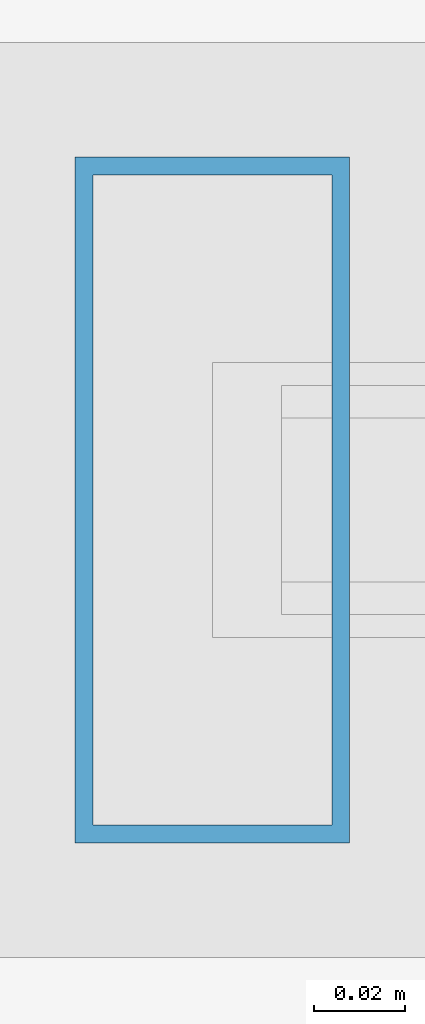
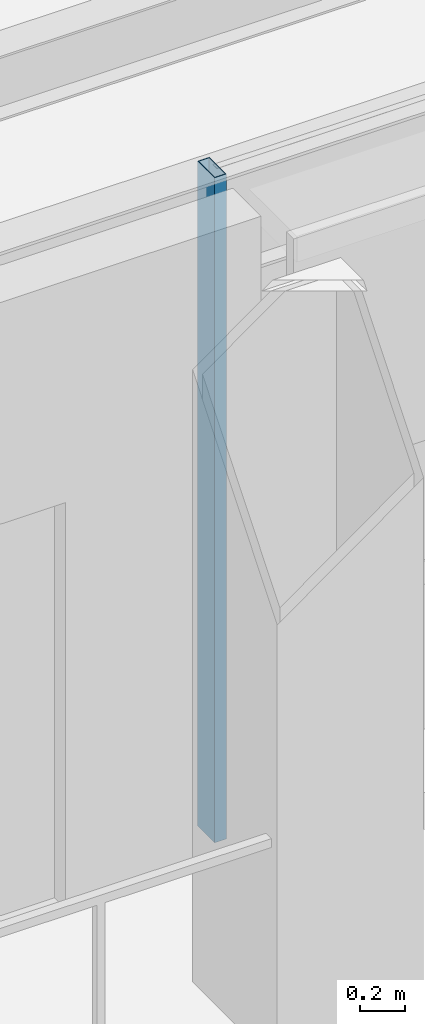
# One storey, part 5 of 27: 1 member, 1 element without a shape of its own.
"""IFC4 building model written with IfcOpenShell, lengths in metres."""

from ifc_helpers import new_model, si_unit, direction, frame, origin, origin_2d, place, context, subcontext, project, spatial, hollow_rectangle, extrude, material, layer, layer_set, material_profile, profile_set, type_object, element, aggregate, save


model = new_model("IFC4")

# Units and contexts
model_context = context("Model", 3, precision=1e-05, world=origin(), true_north=direction((0.0, 1.0)))
body_context = subcontext(model_context, "Body", "Model", "MODEL_VIEW")
ifc_project = project(units=[si_unit("LENGTHUNIT", "METRE"), si_unit("AREAUNIT", "SQUARE_METRE"), si_unit("VOLUMEUNIT", "CUBIC_METRE"), si_unit("PLANEANGLEUNIT", "RADIAN"), si_unit("MASSUNIT", "GRAM", prefix="KILO")], contexts=[model_context])

# Site, building, storey
site_placement = place(None, origin())
site = spatial("IfcSite", under=ifc_project, at=site_placement, CompositionType="ELEMENT")
building_placement = place(site_placement, origin())
building = spatial("IfcBuilding", under=site, at=building_placement, Name="Brelmoor Portico Tower", CompositionType="ELEMENT")
storey_placement = place(building_placement, frame((0.0, 0.0, 250.800048828125)))
storey = spatial("IfcBuildingStorey", under=building, at=storey_placement, Name="L66", CompositionType="ELEMENT", Elevation=250.800048828125)

# Curtain wall, member
ifc_material = material(Name="Anodised Aluminium Alloy 6063-T6", Category="aluminium")
ifc_layer = layer(ifc_material, 0.179931640625)
ifc_layer_set = layer_set([ifc_layer], Name="Anodised Aluminium Alloy 6063-T6")
curtain_wall_type = type_object("IfcCurtainWallType", Name="CW-TOWER-Z4", PredefinedType="NOTDEFINED", material=ifc_layer_set)
curtain_wall_placement = place(storey_placement, origin())
curtain_wall = element("IfcCurtainWall", 1, at=curtain_wall_placement, inside=storey, type_object=curtain_wall_type, Name="L66 Curtain Wall CW-L66-1R-1", PredefinedType="NOTDEFINED")
ifc_material_profile = material_profile(ifc_material, hollow_rectangle(XDim=0.06005859375, YDim=0.14990234375, WallThickness=0.00390625, at=origin_2d()), Name="ALU MULLION 60x150")
ifc_profile_set = profile_set([ifc_material_profile], Name="Anodised Aluminium Alloy 6063-T6")
member_type = type_object("IfcMemberType", Name="MB-CW-MULL-150", PredefinedType="MULLION", material=ifc_profile_set)
member_placement = place(storey_placement, frame((-2.0, -17.550048828125, -0.199951171875), z_axis=(0.0, 0.0, 1.0), x_axis=(1.0, 0.0, 0.0)))
member = element("IfcMember", 2, at=member_placement, type_object=member_type, Name="CW-L66-1R-1 Mullion 00", PredefinedType="MULLION", context=body_context, shape_type="SweptSolid", body=[
    extrude(hollow_rectangle(XDim=0.06005859375, YDim=0.14990234375, WallThickness=0.00390625, at=origin_2d()), origin(), (0.0, 0.0, 1.0), 3.599853515625),
])
aggregate(curtain_wall, [member])

save(model, "model.ifc")
